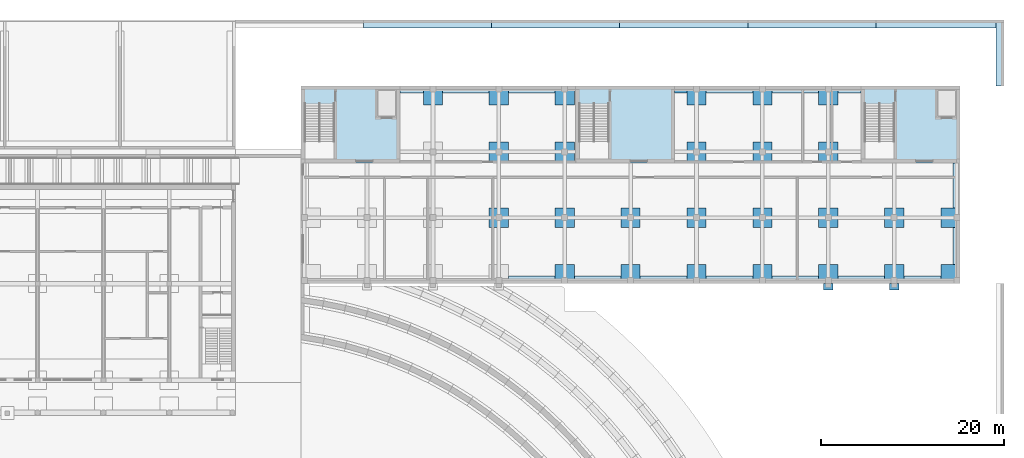
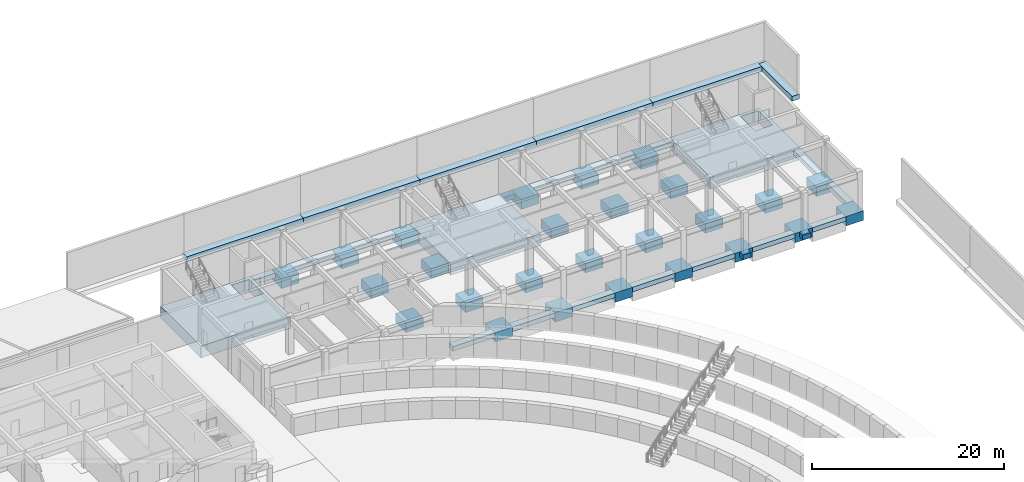
# One storey, part 13 of 73: 53 footings.
"""IFC4 building model written with IfcOpenShell, lengths in metres."""

from ifc_helpers import new_model, si_unit, direction, frame, origin, origin_2d, place, context, subcontext, project, spatial, polyline, rectangle, outline, extrude, material, type_object, element, save


model = new_model("IFC4")

# Units and contexts
model_context = context("Model", 3, precision=1e-05, world=origin(), true_north=direction((0.0, 1.0)))
body_context = subcontext(model_context, "Body", "Model", "MODEL_VIEW")
ifc_project = project(units=[si_unit("LENGTHUNIT", "METRE"), si_unit("AREAUNIT", "SQUARE_METRE"), si_unit("VOLUMEUNIT", "CUBIC_METRE"), si_unit("PLANEANGLEUNIT", "RADIAN"), si_unit("MASSUNIT", "GRAM", prefix="KILO")], contexts=[model_context])

# Site, building, storey
site_placement = place(None, origin())
site = spatial("IfcSite", under=ifc_project, at=site_placement, CompositionType="ELEMENT")
building_placement = place(site_placement, origin())
building = spatial("IfcBuilding", under=site, at=building_placement, Name="Alderwick Market Hall", CompositionType="ELEMENT")
storey_placement = place(building_placement, origin())
storey = spatial("IfcBuildingStorey", under=building, at=storey_placement, Name="LG", CompositionType="ELEMENT", Elevation=0.0)

# Footings
ifc_material = material(Name="Concrete 4000 psi (f'c 28 MPa)", Category="concrete")
footing_type_1 = type_object("IfcFootingType", Name="F Core Raft 10800x8400x1500", PredefinedType="PAD_FOOTING", material=ifc_material)
footing_1_placement = place(storey_placement, frame((0.0, 0.0, -1.800048828125)))
element("IfcFooting", 1, at=footing_1_placement, inside=storey, type_object=footing_type_1, Name="F.raft.LG.A", PredefinedType="PAD_FOOTING", context=body_context, shape_type="SweptSolid", body=[
    extrude(outline(polyline([(158.39990234375, 142.800048828125), (169.199951171875, 142.800048828125), (169.199951171875, 151.199951171875), (158.39990234375, 151.199951171875), (158.39990234375, 142.800048828125)]), holes=[polyline([(166.699951171875, 147.800048828125), (168.800048828125, 147.800048828125), (168.800048828125, 150.800048828125), (166.699951171875, 150.800048828125), (166.699951171875, 147.800048828125)])]), origin(), (0.0, 0.0, 1.0), 1.5),
])
footing_2_placement = place(storey_placement, frame((0.0, 0.0, -1.800048828125)))
element("IfcFooting", 2, at=footing_2_placement, inside=storey, type_object=footing_type_1, Name="F.raft.LG.B", PredefinedType="PAD_FOOTING", context=body_context, shape_type="SweptSolid", body=[
    extrude(outline(polyline([(188.39990234375, 142.800048828125), (199.199951171875, 142.800048828125), (199.199951171875, 151.199951171875), (188.39990234375, 151.199951171875), (188.39990234375, 142.800048828125)])), origin(), (0.0, 0.0, 1.0), 1.5),
])
footing_3_placement = place(storey_placement, frame((0.0, 0.0, -1.800048828125)))
element("IfcFooting", 3, at=footing_3_placement, inside=storey, type_object=footing_type_1, Name="F.raft.LG.C", PredefinedType="PAD_FOOTING", context=body_context, shape_type="SweptSolid", body=[
    extrude(outline(polyline([(219.60009765625, 142.800048828125), (230.39990234375, 142.800048828125), (230.39990234375, 151.199951171875), (219.60009765625, 151.199951171875), (219.60009765625, 142.800048828125)]), holes=[polyline([(227.89990234375, 147.800048828125), (230.0, 147.800048828125), (230.0, 150.800048828125), (227.89990234375, 150.800048828125), (227.89990234375, 147.800048828125)])]), origin(), (0.0, 0.0, 1.0), 1.5),
])
footing_type_2 = type_object("IfcFootingType", Name="F Pad Footing 2100x2100x1200", PredefinedType="PAD_FOOTING", material=ifc_material)
for number, where, z_axis, x_axis, name in (
    (4, (187.199951171875, 130.64990234375, -1.5), (0.0, 0.0, 1.0), (1.0, 0.0, 0.0), "F.cap.LG.05"),
    (5, (194.39990234375, 130.64990234375, -1.5), (0.0, 0.0, 1.0), (1.0, 0.0, 0.0), "F.cap.LG.06"),
    (6, (201.60009765625, 130.64990234375, -1.5), (0.0, 0.0, 1.0), (1.0, 0.0, 0.0), "F.cap.LG.07"),
    (7, (208.800048828125, 130.64990234375, -1.5), (0.0, 0.0, 1.0), (1.0, 0.0, 0.0), "F.cap.LG.08"),
    (8, (216.0, 130.64990234375, -1.5), (0.0, 0.0, 1.0), (1.0, 0.0, 0.0), "F.cap.LG.09"),
    (9, (223.199951171875, 130.64990234375, -1.5), (0.0, 0.0, 1.0), (1.0, 0.0, 0.0), "F.cap.LG.10"),
    (10, (229.35009765625, 130.64990234375, -1.5), (0.0, 0.0, 1.0), (1.0, 0.0, 0.0), "F.cap.LG.11"),
    (11, (180.0, 136.800048828125, -1.5), (0.0, 0.0, 1.0), (1.0, 0.0, 0.0), "F.cap.LG.15"),
    (12, (187.199951171875, 136.800048828125, -1.5), (0.0, 0.0, 1.0), (1.0, 0.0, 0.0), "F.cap.LG.16"),
    (13, (194.39990234375, 136.800048828125, -1.5), (0.0, 0.0, 1.0), (1.0, 0.0, 0.0), "F.cap.LG.17"),
    (14, (201.60009765625, 136.800048828125, -1.5), (0.0, 0.0, 1.0), (1.0, 0.0, 0.0), "F.cap.LG.18"),
    (15, (208.800048828125, 136.800048828125, -1.5), (0.0, 0.0, 1.0), (1.0, 0.0, 0.0), "F.cap.LG.19"),
    (16, (216.0, 136.800048828125, -1.5), (0.0, 0.0, 1.0), (1.0, 0.0, 0.0), "F.cap.LG.20"),
    (17, (223.199951171875, 136.800048828125, -1.5), (0.0, 0.0, 1.0), (1.0, 0.0, 0.0), "F.cap.LG.21"),
    (18, (229.35009765625, 136.800048828125, -1.5), (0.0, 0.0, 1.0), (1.0, 0.0, 0.0), "F.cap.LG.22"),
    (19, (180.0, 144.0, -1.5), (0.0, 0.0, 1.0), (1.0, 0.0, 0.0), "F.cap.LG.24"),
    (20, (187.199951171875, 144.0, -1.5), (0.0, 0.0, 1.0), (1.0, 0.0, 0.0), "F.cap.LG.25"),
    (21, (201.60009765625, 144.0, -1.5), (0.0, 0.0, 1.0), (1.0, 0.0, 0.0), "F.cap.LG.26"),
    (22, (208.800048828125, 144.0, -1.5), (0.0, 0.0, 1.0), (1.0, 0.0, 0.0), "F.cap.LG.27"),
    (23, (216.0, 144.0, -1.5), (0.0, 0.0, 1.0), (1.0, 0.0, 0.0), "F.cap.LG.28"),
    (24, (172.800048828125, 150.14990234375, -1.5), (0.0, 0.0, 1.0), (1.0, 0.0, 0.0), "F.cap.LG.29"),
    (25, (180.0, 150.14990234375, -1.5), (0.0, 0.0, 1.0), (1.0, 0.0, 0.0), "F.cap.LG.30"),
    (26, (187.199951171875, 150.14990234375, -1.5), (0.0, 0.0, 1.0), (1.0, 0.0, 0.0), "F.cap.LG.31"),
    (27, (201.60009765625, 150.14990234375, -1.5), (0.0, 0.0, 1.0), (1.0, 0.0, 0.0), "F.cap.LG.32"),
    (28, (208.800048828125, 150.14990234375, -1.5), (0.0, 0.0, 1.0), (1.0, 0.0, 0.0), "F.cap.LG.33"),
    (29, (216.0, 150.14990234375, -1.5), (0.0, 0.0, 1.0), (1.0, 0.0, 0.0), "F.cap.LG.34"),
):
    element("IfcFooting", number, at=place(storey_placement, frame(where, z_axis=z_axis, x_axis=x_axis)), inside=storey, type_object=footing_type_2, Name=name, PredefinedType="PAD_FOOTING", context=body_context, shape_type="SweptSolid", body=[
        extrude(rectangle(XDim=2.10009765625, YDim=2.10009765625, at=origin_2d()), origin(), (0.0, 0.0, 1.0), 1.199951171875),
    ])
footing_type_3 = type_object("IfcFootingType", Name="F Pilaster Pad Footing 1000x700x600", PredefinedType="PAD_FOOTING", material=ifc_material)
for number, where, z_axis, x_axis, name in (
    (30, (216.0, 129.25, -0.900146484375), (0.0, 0.0, 1.0), (1.0, 0.0, 0.0), "F.pilaster.foot.LG.013"),
    (31, (223.199951171875, 129.25, -0.900146484375), (0.0, 0.0, 1.0), (1.0, 0.0, 0.0), "F.pilaster.foot.LG.017"),
):
    element("IfcFooting", number, at=place(storey_placement, frame(where, z_axis=z_axis, x_axis=x_axis)), inside=storey, type_object=footing_type_3, Name=name, PredefinedType="PAD_FOOTING", context=body_context, shape_type="SweptSolid", body=[
        extrude(rectangle(XDim=1.0, YDim=0.699951171875, at=origin_2d()), origin(), (0.0, 0.0, 1.0), 0.60009765625),
    ])
footing_type_4 = type_object("IfcFootingType", Name="F Strip Footing 800x600", PredefinedType="STRIP_FOOTING", material=ifc_material)
footing_4_placement = place(storey_placement, frame((0.0, 0.0, -0.89990234375)))
element("IfcFooting", 32, at=footing_4_placement, inside=storey, type_object=footing_type_4, Name="F.strip.LG.04", PredefinedType="STRIP_FOOTING", context=body_context, shape_type="SweptSolid", body=[
    extrude(outline(polyline([(181.051025390625, 129.60009765625), (186.14892578125, 129.60009765625), (186.14892578125, 130.39990234375), (181.051025390625, 130.39990234375), (181.051025390625, 129.60009765625)])), origin(), (0.0, 0.0, 1.0), 0.599853515625),
])
footing_5_placement = place(storey_placement, frame((0.0, 0.0, -0.89990234375)))
element("IfcFooting", 33, at=footing_5_placement, inside=storey, type_object=footing_type_4, Name="F.strip.LG.05", PredefinedType="STRIP_FOOTING", context=body_context, shape_type="SweptSolid", body=[
    extrude(outline(polyline([(188.2509765625, 129.60009765625), (193.34912109375, 129.60009765625), (193.34912109375, 130.39990234375), (188.2509765625, 130.39990234375), (188.2509765625, 129.60009765625)])), origin(), (0.0, 0.0, 1.0), 0.599853515625),
])
footing_6_placement = place(storey_placement, frame((0.0, 0.0, -0.89990234375)))
element("IfcFooting", 34, at=footing_6_placement, inside=storey, type_object=footing_type_4, Name="F.strip.LG.06", PredefinedType="STRIP_FOOTING", context=body_context, shape_type="SweptSolid", body=[
    extrude(outline(polyline([(195.450927734375, 129.60009765625), (200.549072265625, 129.60009765625), (200.549072265625, 130.39990234375), (195.450927734375, 130.39990234375), (195.450927734375, 129.60009765625)])), origin(), (0.0, 0.0, 1.0), 0.599853515625),
])
footing_7_placement = place(storey_placement, frame((0.0, 0.0, -0.89990234375)))
element("IfcFooting", 35, at=footing_7_placement, inside=storey, type_object=footing_type_4, Name="F.strip.LG.07", PredefinedType="STRIP_FOOTING", context=body_context, shape_type="SweptSolid", body=[
    extrude(outline(polyline([(202.65087890625, 129.60009765625), (207.7490234375, 129.60009765625), (207.7490234375, 130.39990234375), (202.65087890625, 130.39990234375), (202.65087890625, 129.60009765625)])), origin(), (0.0, 0.0, 1.0), 0.599853515625),
])
footing_8_placement = place(storey_placement, frame((0.0, 0.0, -0.89990234375)))
element("IfcFooting", 36, at=footing_8_placement, inside=storey, type_object=footing_type_4, Name="F.strip.LG.08", PredefinedType="STRIP_FOOTING", context=body_context, shape_type="SweptSolid", body=[
    extrude(outline(polyline([(209.85107421875, 129.60009765625), (214.948974609375, 129.60009765625), (214.948974609375, 130.39990234375), (209.85107421875, 130.39990234375), (209.85107421875, 129.60009765625)])), origin(), (0.0, 0.0, 1.0), 0.599853515625),
])
footing_9_placement = place(storey_placement, frame((0.0, 0.0, -0.89990234375)))
element("IfcFooting", 37, at=footing_9_placement, inside=storey, type_object=footing_type_4, Name="F.strip.LG.09", PredefinedType="STRIP_FOOTING", context=body_context, shape_type="SweptSolid", body=[
    extrude(outline(polyline([(217.051025390625, 129.60009765625), (222.14892578125, 129.60009765625), (222.14892578125, 130.39990234375), (217.051025390625, 130.39990234375), (217.051025390625, 129.60009765625)])), origin(), (0.0, 0.0, 1.0), 0.599853515625),
])
footing_10_placement = place(storey_placement, frame((0.0, 0.0, -0.89990234375)))
element("IfcFooting", 38, at=footing_10_placement, inside=storey, type_object=footing_type_4, Name="F.strip.LG.10", PredefinedType="STRIP_FOOTING", context=body_context, shape_type="SweptSolid", body=[
    extrude(outline(polyline([(224.2509765625, 129.60009765625), (228.299072265625, 129.60009765625), (228.299072265625, 130.39990234375), (224.2509765625, 130.39990234375), (224.2509765625, 129.60009765625)])), origin(), (0.0, 0.0, 1.0), 0.599853515625),
])
footing_11_placement = place(storey_placement, frame((0.0, 0.0, -0.89990234375)))
element("IfcFooting", 39, at=footing_11_placement, inside=storey, type_object=footing_type_4, Name="F.strip.LG.11", PredefinedType="STRIP_FOOTING", context=body_context, shape_type="SweptSolid", body=[
    extrude(outline(polyline([(169.200927734375, 150.39990234375), (171.7490234375, 150.39990234375), (171.7490234375, 151.199951171875), (169.200927734375, 151.199951171875), (169.200927734375, 150.39990234375)])), origin(), (0.0, 0.0, 1.0), 0.599853515625),
])
footing_12_placement = place(storey_placement, frame((0.0, 0.0, -0.89990234375)))
element("IfcFooting", 40, at=footing_12_placement, inside=storey, type_object=footing_type_4, Name="F.strip.LG.12", PredefinedType="STRIP_FOOTING", context=body_context, shape_type="SweptSolid", body=[
    extrude(outline(polyline([(173.85107421875, 150.39990234375), (178.948974609375, 150.39990234375), (178.948974609375, 151.199951171875), (173.85107421875, 151.199951171875), (173.85107421875, 150.39990234375)])), origin(), (0.0, 0.0, 1.0), 0.599853515625),
])
footing_13_placement = place(storey_placement, frame((0.0, 0.0, -0.89990234375)))
element("IfcFooting", 41, at=footing_13_placement, inside=storey, type_object=footing_type_4, Name="F.strip.LG.13", PredefinedType="STRIP_FOOTING", context=body_context, shape_type="SweptSolid", body=[
    extrude(outline(polyline([(181.051025390625, 150.39990234375), (186.14892578125, 150.39990234375), (186.14892578125, 151.199951171875), (181.051025390625, 151.199951171875), (181.051025390625, 150.39990234375)])), origin(), (0.0, 0.0, 1.0), 0.599853515625),
])
footing_14_placement = place(storey_placement, frame((0.0, 0.0, -0.89990234375)))
element("IfcFooting", 42, at=footing_14_placement, inside=storey, type_object=footing_type_4, Name="F.strip.LG.14", PredefinedType="STRIP_FOOTING", context=body_context, shape_type="SweptSolid", body=[
    extrude(outline(polyline([(199.200927734375, 150.39990234375), (200.549072265625, 150.39990234375), (200.549072265625, 151.199951171875), (199.200927734375, 151.199951171875), (199.200927734375, 150.39990234375)])), origin(), (0.0, 0.0, 1.0), 0.599853515625),
])
footing_15_placement = place(storey_placement, frame((0.0, 0.0, -0.89990234375)))
element("IfcFooting", 43, at=footing_15_placement, inside=storey, type_object=footing_type_4, Name="F.strip.LG.15", PredefinedType="STRIP_FOOTING", context=body_context, shape_type="SweptSolid", body=[
    extrude(outline(polyline([(202.65087890625, 150.39990234375), (207.7490234375, 150.39990234375), (207.7490234375, 151.199951171875), (202.65087890625, 151.199951171875), (202.65087890625, 150.39990234375)])), origin(), (0.0, 0.0, 1.0), 0.599853515625),
])
footing_16_placement = place(storey_placement, frame((0.0, 0.0, -0.89990234375)))
element("IfcFooting", 44, at=footing_16_placement, inside=storey, type_object=footing_type_4, Name="F.strip.LG.16", PredefinedType="STRIP_FOOTING", context=body_context, shape_type="SweptSolid", body=[
    extrude(outline(polyline([(209.85107421875, 150.39990234375), (214.948974609375, 150.39990234375), (214.948974609375, 151.199951171875), (209.85107421875, 151.199951171875), (209.85107421875, 150.39990234375)])), origin(), (0.0, 0.0, 1.0), 0.599853515625),
])
footing_17_placement = place(storey_placement, frame((0.0, 0.0, -0.89990234375)))
element("IfcFooting", 45, at=footing_17_placement, inside=storey, type_object=footing_type_4, Name="F.strip.LG.17", PredefinedType="STRIP_FOOTING", context=body_context, shape_type="SweptSolid", body=[
    extrude(outline(polyline([(217.051025390625, 150.39990234375), (219.59912109375, 150.39990234375), (219.59912109375, 151.199951171875), (217.051025390625, 151.199951171875), (217.051025390625, 150.39990234375)])), origin(), (0.0, 0.0, 1.0), 0.599853515625),
])
footing_18_placement = place(storey_placement, frame((0.0, 0.0, -0.89990234375)))
element("IfcFooting", 46, at=footing_18_placement, inside=storey, type_object=footing_type_4, Name="F.strip.LG.20", PredefinedType="STRIP_FOOTING", context=body_context, shape_type="SweptSolid", body=[
    extrude(outline(polyline([(229.60009765625, 131.700927734375), (230.39990234375, 131.700927734375), (230.39990234375, 135.7490234375), (229.60009765625, 135.7490234375), (229.60009765625, 131.700927734375)])), origin(), (0.0, 0.0, 1.0), 0.599853515625),
])
footing_19_placement = place(storey_placement, frame((0.0, 0.0, -0.89990234375)))
element("IfcFooting", 47, at=footing_19_placement, inside=storey, type_object=footing_type_4, Name="F.strip.LG.21", PredefinedType="STRIP_FOOTING", context=body_context, shape_type="SweptSolid", body=[
    extrude(outline(polyline([(229.60009765625, 137.85107421875), (230.39990234375, 137.85107421875), (230.39990234375, 142.799072265625), (229.60009765625, 142.799072265625), (229.60009765625, 137.85107421875)])), origin(), (0.0, 0.0, 1.0), 0.599853515625),
])
footing_type_5 = type_object("IfcFootingType", Name="S Strip Footing 900", PredefinedType="STRIP_FOOTING", material=ifc_material)
footing_20_placement = place(storey_placement, frame((0.0, 0.0, -0.85009765625)))
element("IfcFooting", 48, at=footing_20_placement, inside=storey, type_object=footing_type_5, Name="S.bfoot.N02b", PredefinedType="STRIP_FOOTING", context=body_context, shape_type="SweptSolid", body=[
    extrude(outline(polyline([(165.199951171875, 158.39990234375), (165.199951171875, 157.5), (179.199951171875, 157.5), (179.199951171875, 158.39990234375), (165.199951171875, 158.39990234375)])), origin(), (0.0, 0.0, 1.0), 0.60009765625),
])
footing_21_placement = place(storey_placement, frame((0.0, 0.0, -0.85009765625)))
element("IfcFooting", 49, at=footing_21_placement, inside=storey, type_object=footing_type_5, Name="S.bfoot.N02c", PredefinedType="STRIP_FOOTING", context=body_context, shape_type="SweptSolid", body=[
    extrude(outline(polyline([(179.199951171875, 158.39990234375), (179.199951171875, 157.5), (193.199951171875, 157.5), (193.199951171875, 158.39990234375), (179.199951171875, 158.39990234375)])), origin(), (0.0, 0.0, 1.0), 0.60009765625),
])
footing_22_placement = place(storey_placement, frame((0.0, 0.0, -0.85009765625)))
element("IfcFooting", 50, at=footing_22_placement, inside=storey, type_object=footing_type_5, Name="S.bfoot.N02d", PredefinedType="STRIP_FOOTING", context=body_context, shape_type="SweptSolid", body=[
    extrude(outline(polyline([(193.199951171875, 158.39990234375), (193.199951171875, 157.5), (207.199951171875, 157.5), (207.199951171875, 158.39990234375), (193.199951171875, 158.39990234375)])), origin(), (0.0, 0.0, 1.0), 0.60009765625),
])
footing_23_placement = place(storey_placement, frame((0.0, 0.0, -0.85009765625)))
element("IfcFooting", 51, at=footing_23_placement, inside=storey, type_object=footing_type_5, Name="S.bfoot.N02e", PredefinedType="STRIP_FOOTING", context=body_context, shape_type="SweptSolid", body=[
    extrude(outline(polyline([(207.199951171875, 158.39990234375), (207.199951171875, 157.5), (221.199951171875, 157.5), (221.199951171875, 158.39990234375), (207.199951171875, 158.39990234375)])), origin(), (0.0, 0.0, 1.0), 0.60009765625),
])
footing_24_placement = place(storey_placement, frame((0.0, 0.0, -0.85009765625)))
element("IfcFooting", 52, at=footing_24_placement, inside=storey, type_object=footing_type_5, Name="S.bfoot.N02f", PredefinedType="STRIP_FOOTING", context=body_context, shape_type="SweptSolid", body=[
    extrude(outline(polyline([(221.199951171875, 158.39990234375), (221.199951171875, 157.5), (235.199951171875, 157.5), (235.199951171875, 158.39990234375), (221.199951171875, 158.39990234375)])), origin(), (0.0, 0.0, 1.0), 0.60009765625),
])
footing_25_placement = place(storey_placement, frame((0.0, 0.0, -0.85009765625)))
element("IfcFooting", 53, at=footing_25_placement, inside=storey, type_object=footing_type_5, Name="S.bfoot.E05a", PredefinedType="STRIP_FOOTING", context=body_context, shape_type="SweptSolid", body=[
    extrude(outline(polyline([(234.300048828125, 151.199951171875), (235.199951171875, 151.199951171875), (235.199951171875, 158.10009765625), (234.300048828125, 158.10009765625), (234.300048828125, 151.199951171875)])), origin(), (0.0, 0.0, 1.0), 0.60009765625),
])

save(model, "model.ifc")
